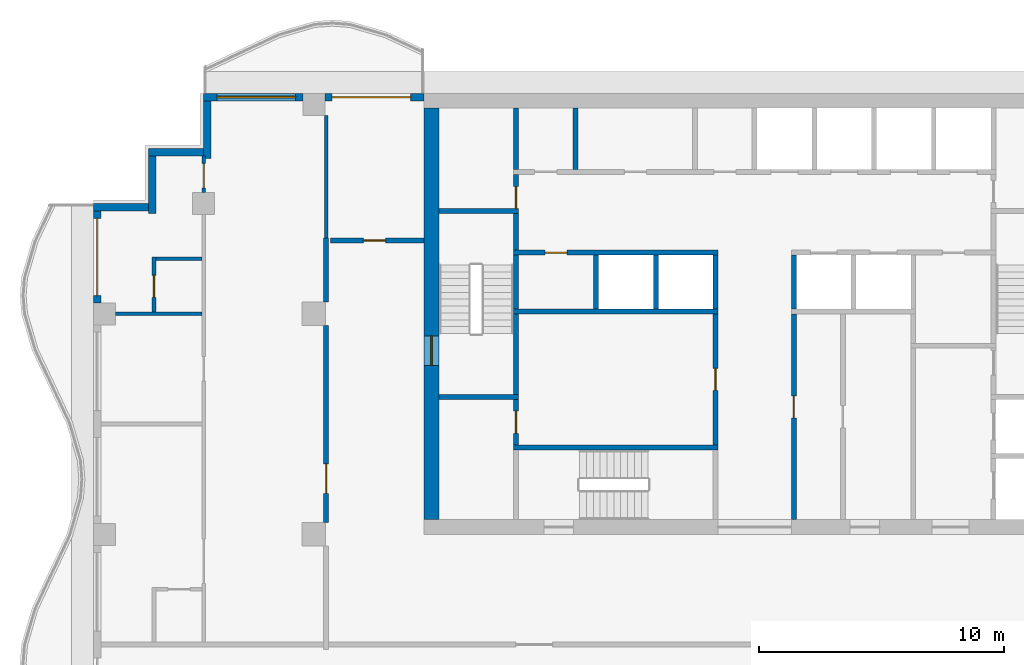
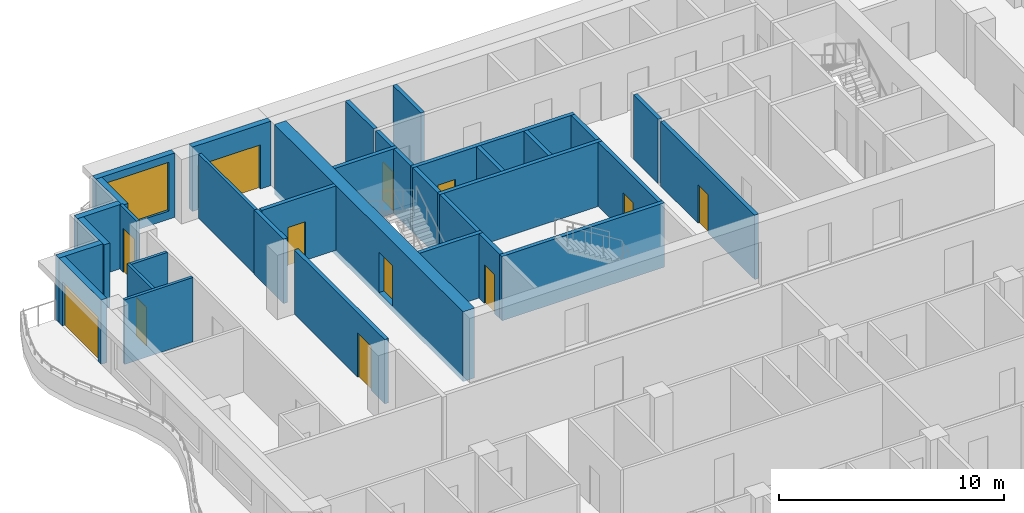
# One storey, part 5 of 11: 34 walls, 12 doors, 1 window, 13 openings.
"""IFC4 building model written with IfcOpenShell, lengths in metres."""

from ifc_helpers import new_model, si_unit, direction, frame, frame_2d, origin, place, context, subcontext, project, spatial, rectangle, extrude, material, layer, layer_set, type_object, element, fill, save


model = new_model("IFC4")

# Units and contexts
model_context = context("Model", 3, precision=1e-05, world=origin(), true_north=direction((0.0, 1.0)))
body_context = subcontext(model_context, "Body", "Model", "MODEL_VIEW")
ifc_project = project(units=[si_unit("LENGTHUNIT", "METRE"), si_unit("AREAUNIT", "SQUARE_METRE"), si_unit("VOLUMEUNIT", "CUBIC_METRE"), si_unit("PLANEANGLEUNIT", "RADIAN"), si_unit("MASSUNIT", "GRAM", prefix="KILO")], contexts=[model_context])

# Site, building, storey
site_placement = place(None, origin())
site = spatial("IfcSite", under=ifc_project, at=site_placement, CompositionType="ELEMENT")
building_placement = place(site_placement, origin())
building = spatial("IfcBuilding", under=site, at=building_placement, Name="Orbiselva Terraces", CompositionType="ELEMENT")
storey_placement = place(building_placement, frame((0.0, 0.0, 273.0)))
storey = spatial("IfcBuildingStorey", under=building, at=storey_placement, Name="L69", CompositionType="ELEMENT", Elevation=273.0)

# Wall, opening, door
ifc_material_1 = material(Name="Concrete C80/95", Category="concrete")
ifc_layer_1 = layer(ifc_material_1, 0.6)
ifc_layer_set_1 = layer_set([ifc_layer_1], Name="Concrete C80/95")
wall_type_1 = type_object("IfcWallType", Name="CORE WALL 600", PredefinedType="SHEAR", material=ifc_layer_set_1)
wall_1_placement = place(storey_placement, frame((-13.2, 21.9, -0.3), z_axis=(0.0, 0.0, 1.0), x_axis=(0.0, -1.0, 0.0)))
wall_1 = element("IfcWall", 1, at=wall_1_placement, inside=storey, type_object=wall_type_1, Name="Core wall L69 west", PredefinedType="SHEAR", context=body_context, shape_type="SweptSolid", body=[
    extrude(rectangle(XDim=16.8, YDim=0.6, at=frame_2d((8.4, 0.0))), origin(), (0.0, 0.0, 1.0), 3.8),
])
opening_1_placement = place(wall_1_placement, frame((9.3, 0.0, 0.3)))
opening_1 = element("IfcOpeningElement", 2, at=opening_1_placement, cuts=wall_1, Name="Opening DS1200", PredefinedType="OPENING", context=body_context, shape_type="SweptSolid", body=[
    extrude(rectangle(XDim=1.2, YDim=2.2, at=frame_2d((0.6, 1.1))), frame((0.0, 0.31, 0.0), z_axis=(0.0, -1.0, 0.0), x_axis=(1.0, 0.0, 0.0)), (0.0, 0.0, 1.0), 0.62),
])
ifc_material_2 = material(Name="Steel fire door", Category="steel")
door_type_1 = type_object("IfcDoorType", Name="STAIR DOOR 1200", OperationType="NOTDEFINED", PredefinedType="DOOR", material=ifc_material_2)
door_1_placement = place(opening_1_placement, frame((1.2, 0.0, 0.0), z_axis=(0.0, 0.0, 1.0), x_axis=(-1.0, 0.0, 0.0)))
door_1 = element("IfcDoor", 3, at=door_1_placement, inside=storey, type_object=door_type_1, Name="L69 EXIT STAIR S1 door", OperationType="SINGLE_SWING_RIGHT", OverallHeight=2.2, OverallWidth=1.2, PredefinedType="DOOR", context=body_context, shape_type="SweptSolid", body=[
    extrude(rectangle(XDim=1.2, YDim=2.2, at=frame_2d((0.6, 1.1))), frame((0.0, 0.025, 0.0), z_axis=(0.0, -1.0, 0.0), x_axis=(1.0, 0.0, 0.0)), (0.0, 0.0, 1.0), 0.05),
])
fill(opening_1, door_1)

ifc_material_3 = material(Name="Masonry blockwork", Category="masonry")
ifc_layer_2 = layer(ifc_material_3, 0.2)
ifc_layer_set_2 = layer_set([ifc_layer_2], Name="Masonry blockwork")
wall_type_2 = type_object("IfcWallType", Name="CORE-WALL-PARTITION-200", PredefinedType="PARTITIONING", material=ifc_layer_set_2)
wall_2_placement = place(storey_placement, frame((-9.75, 8.15, 0.0), z_axis=(0.0, 0.0, 1.0), x_axis=(0.0, 1.0, 0.0)))
wall_2 = element("IfcWall", 4, at=wall_2_placement, inside=storey, type_object=wall_type_2, Name="L69 core wall 05", PredefinedType="PARTITIONING", context=body_context, shape_type="SweptSolid", body=[
    extrude(rectangle(XDim=1.85, YDim=0.2, at=frame_2d((0.925, 0.0))), origin(), (0.0, 0.0, 1.0), 3.5),
])
opening_2_placement = place(wall_2_placement, frame((0.475, 0.0, 0.0)))
opening_2 = element("IfcOpeningElement", 5, at=opening_2_placement, cuts=wall_2, Name="Opening DR900", PredefinedType="OPENING", context=body_context, shape_type="SweptSolid", body=[
    extrude(rectangle(XDim=0.9, YDim=2.1, at=frame_2d((0.45, 1.05))), frame((0.0, 0.11, 0.0), z_axis=(0.0, -1.0, 0.0), x_axis=(1.0, 0.0, 0.0)), (0.0, 0.0, 1.0), 0.22),
])
door_type_2 = type_object("IfcDoorType", Name="ROOM DOOR 900", OperationType="NOTDEFINED", PredefinedType="DOOR", material=ifc_material_2)
door_2_placement = place(opening_2_placement, origin())
door_2 = element("IfcDoor", 6, at=door_2_placement, inside=storey, type_object=door_type_2, Name="L69 ACCESSIBLE WC door", OperationType="SINGLE_SWING_RIGHT", OverallHeight=2.1, OverallWidth=0.9, PredefinedType="DOOR", context=body_context, shape_type="SweptSolid", body=[
    extrude(rectangle(XDim=0.9, YDim=2.1, at=frame_2d((0.45, 1.05))), frame((0.0, 0.025, 0.0), z_axis=(0.0, -1.0, 0.0), x_axis=(1.0, 0.0, 0.0)), (0.0, 0.0, 1.0), 0.05),
])
fill(opening_2, door_2)

wall_3_placement = place(storey_placement, frame((-9.75, 17.8, 0.0), z_axis=(0.0, 0.0, 1.0), x_axis=(0.0, 1.0, 0.0)))
wall_3 = element("IfcWall", 7, at=wall_3_placement, inside=storey, type_object=wall_type_2, Name="L69 core wall 11", PredefinedType="PARTITIONING", context=body_context, shape_type="SweptSolid", body=[
    extrude(rectangle(XDim=1.4, YDim=0.2, at=frame_2d((0.7, 0.0))), origin(), (0.0, 0.0, 1.0), 3.5),
])
opening_3_placement = place(wall_3_placement, origin())
opening_3 = element("IfcOpeningElement", 8, at=opening_3_placement, cuts=wall_3, Name="Opening DR900", PredefinedType="OPENING", context=body_context, shape_type="SweptSolid", body=[
    extrude(rectangle(XDim=0.9, YDim=2.1, at=frame_2d((0.45, 1.05))), frame((0.0, 0.11, 0.0), z_axis=(0.0, -1.0, 0.0), x_axis=(1.0, 0.0, 0.0)), (0.0, 0.0, 1.0), 0.22),
])
door_3_placement = place(opening_3_placement, origin())
door_3 = element("IfcDoor", 9, at=door_3_placement, inside=storey, type_object=door_type_2, Name="L69 ELECTRICAL RISER ROOM door", OperationType="SINGLE_SWING_LEFT", OverallHeight=2.1, OverallWidth=0.9, PredefinedType="DOOR", context=body_context, shape_type="SweptSolid", body=[
    extrude(rectangle(XDim=0.9, YDim=2.1, at=frame_2d((0.45, 1.05))), frame((0.0, 0.025, 0.0), z_axis=(0.0, -1.0, 0.0), x_axis=(1.0, 0.0, 0.0)), (0.0, 0.0, 1.0), 0.05),
])
fill(opening_3, door_3)

# Walls
for number, where, z_axis, x_axis, name in (
    (10, (-9.75, 19.4, 0.0), (0.0, 0.0, 1.0), (0.0, 1.0, 0.0), "L69 core wall 13"),
    (11, (-7.3125, 19.4, 0.0), (0.0, 0.0, 1.0), (0.0, 1.0, 0.0), "L69 core wall 14"),
):
    element("IfcWall", number, at=place(storey_placement, frame(where, z_axis=z_axis, x_axis=x_axis)), inside=storey, type_object=wall_type_2, Name=name, PredefinedType="PARTITIONING", context=body_context, shape_type="SweptSolid", body=[
        extrude(rectangle(XDim=2.5, YDim=0.2, at=frame_2d((1.25, 0.0))), origin(), (0.0, 0.0, 1.0), 3.5),
    ])
ifc_material_4 = material(Name="Concrete C40/50", Category="concrete")
ifc_layer_3 = layer(ifc_material_4, 0.2)
ifc_layer_set_3 = layer_set([ifc_layer_3], Name="Concrete C40/50")
wall_type_3 = type_object("IfcWallType", Name="CORE-WALL-SHAFT-200", PredefinedType="PARTITIONING", material=ifc_layer_set_3)
for number, where, z_axis, x_axis, name in (
    (12, (-6.475, 13.7, 0.0), (0.0, 0.0, 1.0), (0.0, 1.0, 0.0), "L69 core wall 15"),
    (13, (-4.0375, 13.7, 0.0), (0.0, 0.0, 1.0), (0.0, 1.0, 0.0), "L69 core wall 16"),
    (14, (-1.6, 13.7, 0.0), (0.0, 0.0, 1.0), (0.0, 1.0, 0.0), "L69 core wall 20"),
    (15, (1.6, 13.7, 0.0), (0.0, 0.0, 1.0), (0.0, 1.0, 0.0), "L69 core wall 24"),
):
    element("IfcWall", number, at=place(storey_placement, frame(where, z_axis=z_axis, x_axis=x_axis)), inside=storey, type_object=wall_type_3, Name=name, PredefinedType="PARTITIONING", context=body_context, shape_type="SweptSolid", body=[
        extrude(rectangle(XDim=2.2, YDim=0.2, at=frame_2d((1.1, 0.0))), origin(), (0.0, 0.0, 1.0), 3.5),
    ])
ifc_material_5 = material(Name="Concrete C60/75", Category="concrete")
ifc_layer_4 = layer(ifc_material_5, 0.2)
ifc_layer_set_4 = layer_set([ifc_layer_4], Name="Concrete C60/75")
wall_type_4 = type_object("IfcWallType", Name="CORE-WALL-SHEAR-200", PredefinedType="SHEAR", material=ifc_layer_set_4)
for number, where, z_axis, x_axis, name in (
    (16, (-12.9, 10.1, 0.0), (0.0, 0.0, 1.0), (1.0, 0.0, 0.0), "L69 core wall 01"),
    (17, (-12.9, 17.7, 0.0), (0.0, 0.0, 1.0), (1.0, 0.0, 0.0), "L69 core wall 02"),
):
    element("IfcWall", number, at=place(storey_placement, frame(where, z_axis=z_axis, x_axis=x_axis)), inside=storey, type_object=wall_type_4, Name=name, PredefinedType="SHEAR", context=body_context, shape_type="SweptSolid", body=[
        extrude(rectangle(XDim=3.25, YDim=0.2, at=frame_2d((1.625, 0.0))), origin(), (0.0, 0.0, 1.0), 3.5),
    ])
wall_4_placement = place(storey_placement, frame((-9.85, 8.05, 0.0), z_axis=(0.0, 0.0, 1.0), x_axis=(1.0, 0.0, 0.0)))
element("IfcWall", 18, at=wall_4_placement, inside=storey, type_object=wall_type_4, Name="L69 core wall 04", PredefinedType="SHEAR", context=body_context, shape_type="SweptSolid", body=[
    extrude(rectangle(XDim=8.35, YDim=0.2, at=frame_2d((4.175, 0.0))), origin(), (0.0, 0.0, 1.0), 3.5),
])
wall_5_placement = place(storey_placement, frame((-9.75, 10.2, 0.0), z_axis=(0.0, 0.0, 1.0), x_axis=(0.0, 1.0, 0.0)))
element("IfcWall", 19, at=wall_5_placement, inside=storey, type_object=wall_type_4, Name="L69 core wall 06", PredefinedType="SHEAR", context=body_context, shape_type="SweptSolid", body=[
    extrude(rectangle(XDim=3.3, YDim=0.2, at=frame_2d((1.65, 0.0))), origin(), (0.0, 0.0, 1.0), 3.5),
])
wall_6_placement = place(storey_placement, frame((-9.85, 13.6, 0.0), z_axis=(0.0, 0.0, 1.0), x_axis=(1.0, 0.0, 0.0)))
element("IfcWall", 20, at=wall_6_placement, inside=storey, type_object=wall_type_4, Name="L69 core wall 07", PredefinedType="SHEAR", context=body_context, shape_type="SweptSolid", body=[
    extrude(rectangle(XDim=8.35, YDim=0.2, at=frame_2d((4.175, 0.0))), origin(), (0.0, 0.0, 1.0), 3.5),
])
wall_7_placement = place(storey_placement, frame((-9.75, 13.7, 0.0), z_axis=(0.0, 0.0, 1.0), x_axis=(0.0, 1.0, 0.0)))
element("IfcWall", 21, at=wall_7_placement, inside=storey, type_object=wall_type_4, Name="L69 core wall 08", PredefinedType="SHEAR", context=body_context, shape_type="SweptSolid", body=[
    extrude(rectangle(XDim=2.2, YDim=0.2, at=frame_2d((1.1, 0.0))), origin(), (0.0, 0.0, 1.0), 3.5),
])

# Wall, opening, door
wall_8_placement = place(storey_placement, frame((-1.5, 16.0, 0.0), z_axis=(0.0, 0.0, 1.0), x_axis=(-1.0, 0.0, 0.0)))
wall_8 = element("IfcWall", 22, at=wall_8_placement, inside=storey, type_object=wall_type_4, Name="L69 core wall 09", PredefinedType="SHEAR", context=body_context, shape_type="SweptSolid", body=[
    extrude(rectangle(XDim=8.35, YDim=0.2, at=frame_2d((4.175, 0.0))), origin(), (0.0, 0.0, 1.0), 3.5),
])
opening_4_placement = place(wall_8_placement, frame((6.1625, 0.0, 0.0)))
opening_4 = element("IfcOpeningElement", 23, at=opening_4_placement, cuts=wall_8, Name="Opening DR900", PredefinedType="OPENING", context=body_context, shape_type="SweptSolid", body=[
    extrude(rectangle(XDim=0.9, YDim=2.1, at=frame_2d((0.45, 1.05))), frame((0.0, 0.11, 0.0), z_axis=(0.0, -1.0, 0.0), x_axis=(1.0, 0.0, 0.0)), (0.0, 0.0, 1.0), 0.22),
])
door_4_placement = place(opening_4_placement, origin())
door_4 = element("IfcDoor", 24, at=door_4_placement, inside=storey, type_object=door_type_2, Name="L69 IT ROOM door", OperationType="SINGLE_SWING_RIGHT", OverallHeight=2.1, OverallWidth=0.9, PredefinedType="DOOR", context=body_context, shape_type="SweptSolid", body=[
    extrude(rectangle(XDim=0.9, YDim=2.1, at=frame_2d((0.45, 1.05))), frame((0.0, 0.025, 0.0), z_axis=(0.0, -1.0, 0.0), x_axis=(1.0, 0.0, 0.0)), (0.0, 0.0, 1.0), 0.05),
])
fill(opening_4, door_4)

# Wall
wall_9_placement = place(storey_placement, frame((-9.75, 16.1, 0.0), z_axis=(0.0, 0.0, 1.0), x_axis=(0.0, 1.0, 0.0)))
element("IfcWall", 25, at=wall_9_placement, inside=storey, type_object=wall_type_4, Name="L69 core wall 10", PredefinedType="SHEAR", context=body_context, shape_type="SweptSolid", body=[
    extrude(rectangle(XDim=1.5, YDim=0.2, at=frame_2d((0.75, 0.0))), origin(), (0.0, 0.0, 1.0), 3.5),
])

# Wall, opening, door
wall_10_placement = place(storey_placement, frame((-1.6, 8.15, 0.0), z_axis=(0.0, 0.0, 1.0), x_axis=(0.0, 1.0, 0.0)))
wall_10 = element("IfcWall", 26, at=wall_10_placement, inside=storey, type_object=wall_type_4, Name="L69 core wall 19", PredefinedType="SHEAR", context=body_context, shape_type="SweptSolid", body=[
    extrude(rectangle(XDim=5.35, YDim=0.2, at=frame_2d((2.675, 0.0))), origin(), (0.0, 0.0, 1.0), 3.5),
])
opening_5_placement = place(wall_10_placement, frame((2.225, 0.0, 0.0)))
opening_5 = element("IfcOpeningElement", 27, at=opening_5_placement, cuts=wall_10, Name="Opening DR900", PredefinedType="OPENING", context=body_context, shape_type="SweptSolid", body=[
    extrude(rectangle(XDim=0.9, YDim=2.1, at=frame_2d((0.45, 1.05))), frame((0.0, 0.11, 0.0), z_axis=(0.0, -1.0, 0.0), x_axis=(1.0, 0.0, 0.0)), (0.0, 0.0, 1.0), 0.22),
])
door_5_placement = place(opening_5_placement, origin())
door_5 = element("IfcDoor", 28, at=door_5_placement, inside=storey, type_object=door_type_2, Name="L69 LINEN STORE door", OperationType="SINGLE_SWING_RIGHT", OverallHeight=2.1, OverallWidth=0.9, PredefinedType="DOOR", context=body_context, shape_type="SweptSolid", body=[
    extrude(rectangle(XDim=0.9, YDim=2.1, at=frame_2d((0.45, 1.05))), frame((0.0, 0.025, 0.0), z_axis=(0.0, -1.0, 0.0), x_axis=(1.0, 0.0, 0.0)), (0.0, 0.0, 1.0), 0.05),
])
fill(opening_5, door_5)

wall_11_placement = place(storey_placement, frame((1.6, 13.5, 0.0), z_axis=(0.0, 0.0, 1.0), x_axis=(0.0, -1.0, 0.0)))
wall_11 = element("IfcWall", 29, at=wall_11_placement, inside=storey, type_object=wall_type_4, Name="L69 core wall 22", PredefinedType="SHEAR", context=body_context, shape_type="SweptSolid", body=[
    extrude(rectangle(XDim=8.4, YDim=0.2, at=frame_2d((4.2, 0.0))), origin(), (0.0, 0.0, 1.0), 3.5),
])
opening_6_placement = place(wall_11_placement, frame((3.35, 0.0, 0.0)))
opening_6 = element("IfcOpeningElement", 30, at=opening_6_placement, cuts=wall_11, Name="Opening DR900", PredefinedType="OPENING", context=body_context, shape_type="SweptSolid", body=[
    extrude(rectangle(XDim=0.9, YDim=2.1, at=frame_2d((0.45, 1.05))), frame((0.0, 0.11, 0.0), z_axis=(0.0, -1.0, 0.0), x_axis=(1.0, 0.0, 0.0)), (0.0, 0.0, 1.0), 0.22),
])
door_6_placement = place(opening_6_placement, origin())
door_6 = element("IfcDoor", 31, at=door_6_placement, inside=storey, type_object=door_type_2, Name="L69 COMMS ROOM door", OperationType="SINGLE_SWING_LEFT", OverallHeight=2.1, OverallWidth=0.9, PredefinedType="DOOR", context=body_context, shape_type="SweptSolid", body=[
    extrude(rectangle(XDim=0.9, YDim=2.1, at=frame_2d((0.45, 1.05))), frame((0.0, 0.025, 0.0), z_axis=(0.0, -1.0, 0.0), x_axis=(1.0, 0.0, 0.0)), (0.0, 0.0, 1.0), 0.05),
])
fill(opening_6, door_6)

ifc_material_6 = material(Name="Terracotta cladding on masonry backing", Category="masonry")
ifc_layer_5 = layer(ifc_material_6, 0.3)
ifc_layer_set_5 = layer_set([ifc_layer_5], Name="Terracotta cladding on masonry backing")
wall_type_5 = type_object("IfcWallType", Name="ENV-WALL-TERRACOTTA-300", PredefinedType="SOLIDWALL", material=ifc_layer_set_5)
wall_12_placement = place(storey_placement, frame((-17.55, 22.35, 0.0), z_axis=(0.0, 0.0, 1.0), x_axis=(1.0, 0.0, 0.0)))
wall_12 = element("IfcWall", 32, at=wall_12_placement, inside=storey, type_object=wall_type_5, Name="Facade wall L69 NW", PredefinedType="SOLIDWALL", context=body_context, shape_type="SweptSolid", body=[
    extrude(rectangle(XDim=4.05, YDim=0.3, at=frame_2d((2.025, 0.0))), origin(), (0.0, 0.0, 1.0), 3.5),
])
opening_7_placement = place(wall_12_placement, frame((0.3, 0.0, 0.0)))
opening_7 = element("IfcOpeningElement", 33, at=opening_7_placement, cuts=wall_12, Name="Opening Z5-D-E08", PredefinedType="OPENING", context=body_context, shape_type="SweptSolid", body=[
    extrude(rectangle(XDim=3.2, YDim=2.4, at=frame_2d((1.6, 1.2))), frame((0.0, 0.16, 0.0), z_axis=(0.0, -1.0, 0.0), x_axis=(1.0, 0.0, 0.0)), (0.0, 0.0, 1.0), 0.32),
])
ifc_material_7 = material(Name="Clear low-e glazing in aluminium frame", Category="aluminium")
door_type_3 = type_object("IfcDoorType", Name="BALCONY DOOR 3200 X 2400", OperationType="DOUBLE_DOOR_SLIDING", PredefinedType="DOOR", material=ifc_material_7)
door_7_placement = place(opening_7_placement, origin())
door_7 = element("IfcDoor", 34, at=door_7_placement, inside=storey, type_object=door_type_3, Name="Z5-D-E08", OperationType="SINGLE_SWING_LEFT", OverallHeight=2.4, OverallWidth=3.2, PredefinedType="DOOR", context=body_context, shape_type="SweptSolid", body=[
    extrude(rectangle(XDim=3.2, YDim=2.4, at=frame_2d((1.6, 1.2))), frame((0.0, 0.025, 0.0), z_axis=(0.0, -1.0, 0.0), x_axis=(1.0, 0.0, 0.0)), (0.0, 0.0, 1.0), 0.05),
])
fill(opening_7, door_7)

# Wall, opening, window
wall_13_placement = place(storey_placement, frame((-22.5, 22.35, 0.0), z_axis=(0.0, 0.0, 1.0), x_axis=(1.0, 0.0, 0.0)))
wall_13 = element("IfcWall", 35, at=wall_13_placement, inside=storey, type_object=wall_type_5, Name="Facade wall L69 NW", PredefinedType="SOLIDWALL", context=body_context, shape_type="SweptSolid", body=[
    extrude(rectangle(XDim=4.05, YDim=0.3, at=frame_2d((2.025, 0.0))), origin(), (0.0, 0.0, 1.0), 3.5),
])
opening_8_placement = place(wall_13_placement, frame((0.55, 0.0, 0.45)))
opening_8 = element("IfcOpeningElement", 36, at=opening_8_placement, cuts=wall_13, Name="Opening WN17", PredefinedType="OPENING", context=body_context, shape_type="SweptSolid", body=[
    extrude(rectangle(XDim=3.2, YDim=2.65, at=frame_2d((1.6, 1.325))), frame((0.0, 0.16, 0.0), z_axis=(0.0, -1.0, 0.0), x_axis=(1.0, 0.0, 0.0)), (0.0, 0.0, 1.0), 0.32),
])
window_type = type_object("IfcWindowType", Name="WINDOW 3200 X 2650 S450", PartitioningType="TRIPLE_PANEL_VERTICAL", PredefinedType="WINDOW", material=ifc_material_7)
window_placement = place(opening_8_placement, origin())
window = element("IfcWindow", 37, at=window_placement, inside=storey, type_object=window_type, Name="Window L69 NW", OverallHeight=2.65, OverallWidth=3.2, PartitioningType="SINGLE_PANEL", PredefinedType="WINDOW", context=body_context, shape_type="SweptSolid", body=[
    extrude(rectangle(XDim=3.2, YDim=2.65, at=frame_2d((1.6, 1.325))), frame((0.0, 0.03, 0.0), z_axis=(0.0, -1.0, 0.0), x_axis=(1.0, 0.0, 0.0)), (0.0, 0.0, 1.0), 0.06),
])
fill(opening_8, window)

# Walls
wall_14_placement = place(storey_placement, frame((-22.35, 19.85, 0.0), z_axis=(0.0, 0.0, 1.0), x_axis=(0.0, 1.0, 0.0)))
element("IfcWall", 38, at=wall_14_placement, inside=storey, type_object=wall_type_5, Name="Facade wall L69 STEP", PredefinedType="SOLIDWALL", context=body_context, shape_type="SweptSolid", body=[
    extrude(rectangle(XDim=2.35, YDim=0.3, at=frame_2d((1.175, 0.0))), origin(), (0.0, 0.0, 1.0), 3.5),
])
wall_15_placement = place(storey_placement, frame((-24.75, 20.1, 0.0), z_axis=(0.0, 0.0, 1.0), x_axis=(1.0, 0.0, 0.0)))
element("IfcWall", 39, at=wall_15_placement, inside=storey, type_object=wall_type_5, Name="Facade wall L69 STEP", PredefinedType="SOLIDWALL", context=body_context, shape_type="SweptSolid", body=[
    extrude(rectangle(XDim=2.25, YDim=0.3, at=frame_2d((1.125, 0.0))), origin(), (0.0, 0.0, 1.0), 3.5),
])
wall_16_placement = place(storey_placement, frame((-24.6, 17.6, 0.0), z_axis=(0.0, 0.0, 1.0), x_axis=(0.0, 1.0, 0.0)))
element("IfcWall", 40, at=wall_16_placement, inside=storey, type_object=wall_type_5, Name="Facade wall L69 STEP", PredefinedType="SOLIDWALL", context=body_context, shape_type="SweptSolid", body=[
    extrude(rectangle(XDim=2.35, YDim=0.3, at=frame_2d((1.175, 0.0))), origin(), (0.0, 0.0, 1.0), 3.5),
])
wall_17_placement = place(storey_placement, frame((-27.0, 17.85, 0.0), z_axis=(0.0, 0.0, 1.0), x_axis=(1.0, 0.0, 0.0)))
element("IfcWall", 41, at=wall_17_placement, inside=storey, type_object=wall_type_5, Name="Facade wall L69 STEP", PredefinedType="SOLIDWALL", context=body_context, shape_type="SweptSolid", body=[
    extrude(rectangle(XDim=2.25, YDim=0.3, at=frame_2d((1.125, 0.0))), origin(), (0.0, 0.0, 1.0), 3.5),
])

# Wall, opening, door
wall_18_placement = place(storey_placement, frame((-26.85, 13.95, 0.0), z_axis=(0.0, 0.0, 1.0), x_axis=(0.0, 1.0, 0.0)))
wall_18 = element("IfcWall", 42, at=wall_18_placement, inside=storey, type_object=wall_type_5, Name="Facade wall L69 W", PredefinedType="SOLIDWALL", context=body_context, shape_type="SweptSolid", body=[
    extrude(rectangle(XDim=3.75, YDim=0.3, at=frame_2d((1.875, 0.0))), origin(), (0.0, 0.0, 1.0), 3.5),
])
opening_9_placement = place(wall_18_placement, frame((0.3, 0.0, 0.0)))
opening_9 = element("IfcOpeningElement", 43, at=opening_9_placement, cuts=wall_18, Name="Opening Z5-D-E09", PredefinedType="OPENING", context=body_context, shape_type="SweptSolid", body=[
    extrude(rectangle(XDim=3.15, YDim=2.4, at=frame_2d((1.575, 1.2))), frame((0.0, 0.16, 0.0), z_axis=(0.0, -1.0, 0.0), x_axis=(1.0, 0.0, 0.0)), (0.0, 0.0, 1.0), 0.32),
])
door_type_4 = type_object("IfcDoorType", Name="BALCONY DOOR 3150 X 2400", OperationType="DOUBLE_DOOR_SLIDING", PredefinedType="DOOR", material=ifc_material_7)
door_8_placement = place(opening_9_placement, origin())
door_8 = element("IfcDoor", 44, at=door_8_placement, inside=storey, type_object=door_type_4, Name="Z5-D-E09", OperationType="SINGLE_SWING_LEFT", OverallHeight=2.4, OverallWidth=3.15, PredefinedType="DOOR", context=body_context, shape_type="SweptSolid", body=[
    extrude(rectangle(XDim=3.15, YDim=2.4, at=frame_2d((1.575, 1.2))), frame((0.0, 0.025, 0.0), z_axis=(0.0, -1.0, 0.0), x_axis=(1.0, 0.0, 0.0)), (0.0, 0.0, 1.0), 0.05),
])
fill(opening_9, door_8)

ifc_material_8 = material(Name="Plasterboard on steel stud partition", Category="steel")
ifc_layer_6 = layer(ifc_material_8, 0.2)
ifc_layer_set_6 = layer_set([ifc_layer_6], Name="Plasterboard on steel stud partition")
wall_type_6 = type_object("IfcWallType", Name="UNIT-ENTRANCE-WALL-200", PredefinedType="PARTITIONING", material=ifc_layer_set_6)
wall_19_placement = place(storey_placement, frame((-17.325, 16.5, 0.0), z_axis=(0.0, 0.0, 1.0), x_axis=(1.0, 0.0, 0.0)))
wall_19 = element("IfcWall", 45, at=wall_19_placement, inside=storey, type_object=wall_type_6, Name="PARTITION L69-039", PredefinedType="PARTITIONING", context=body_context, shape_type="SweptSolid", body=[
    extrude(rectangle(XDim=3.825, YDim=0.2, at=frame_2d((1.9125, 0.0))), origin(), (0.0, 0.0, 1.0), 3.5),
])
opening_10_placement = place(wall_19_placement, frame((1.35, 0.0, 0.0)))
opening_10 = element("IfcOpeningElement", 46, at=opening_10_placement, cuts=wall_19, Name="Opening Z5-D-01", PredefinedType="OPENING", context=body_context, shape_type="SweptSolid", body=[
    extrude(rectangle(XDim=0.9, YDim=2.1, at=frame_2d((0.45, 1.05))), frame((0.0, 0.11, 0.0), z_axis=(0.0, -1.0, 0.0), x_axis=(1.0, 0.0, 0.0)), (0.0, 0.0, 1.0), 0.22),
])
ifc_material_9 = material(Name="Painted timber door leaf", Category="wood")
door_type_5 = type_object("IfcDoorType", Name="SERVICE DOOR 900", OperationType="NOTDEFINED", PredefinedType="DOOR", material=ifc_material_9)
door_9_placement = place(opening_10_placement, origin())
door_9 = element("IfcDoor", 47, at=door_9_placement, inside=storey, type_object=door_type_5, Name="Z5-D-01", OperationType="SINGLE_SWING_LEFT", OverallHeight=2.1, OverallWidth=0.9, PredefinedType="DOOR", context=body_context, shape_type="SweptSolid", body=[
    extrude(rectangle(XDim=0.9, YDim=2.1, at=frame_2d((0.45, 1.05))), frame((0.0, 0.025, 0.0), z_axis=(0.0, -1.0, 0.0), x_axis=(1.0, 0.0, 0.0)), (0.0, 0.0, 1.0), 0.05),
])
fill(opening_10, door_9)

wall_20_placement = place(storey_placement, frame((-17.5, 4.975, 0.0), z_axis=(0.0, 0.0, 1.0), x_axis=(0.0, 1.0, 0.0)))
wall_20 = element("IfcWall", 48, at=wall_20_placement, inside=storey, type_object=wall_type_6, Name="PARTITION L69-051", PredefinedType="PARTITIONING", context=body_context, shape_type="SweptSolid", body=[
    extrude(rectangle(XDim=8.05, YDim=0.2, at=frame_2d((4.025, 0.0))), origin(), (0.0, 0.0, 1.0), 3.5),
])
opening_11_placement = place(wall_20_placement, frame((1.2, 0.0, 0.0)))
opening_11 = element("IfcOpeningElement", 49, at=opening_11_placement, cuts=wall_20, Name="Opening Z5-D-03", PredefinedType="OPENING", context=body_context, shape_type="SweptSolid", body=[
    extrude(rectangle(XDim=1.2, YDim=2.4, at=frame_2d((0.6, 1.2))), frame((0.0, 0.11, 0.0), z_axis=(0.0, -1.0, 0.0), x_axis=(1.0, 0.0, 0.0)), (0.0, 0.0, 1.0), 0.22),
])
door_type_6 = type_object("IfcDoorType", Name="ENTRANCE DOOR 1200", OperationType="NOTDEFINED", PredefinedType="DOOR", material=ifc_material_9)
door_10_placement = place(opening_11_placement, origin())
door_10 = element("IfcDoor", 50, at=door_10_placement, inside=storey, type_object=door_type_6, Name="Z5-D-03", OperationType="SINGLE_SWING_LEFT", OverallHeight=2.4, OverallWidth=1.2, PredefinedType="DOOR", context=body_context, shape_type="SweptSolid", body=[
    extrude(rectangle(XDim=1.2, YDim=2.4, at=frame_2d((0.6, 1.2))), frame((0.0, 0.025, 0.0), z_axis=(0.0, -1.0, 0.0), x_axis=(1.0, 0.0, 0.0)), (0.0, 0.0, 1.0), 0.05),
])
fill(opening_11, door_10)

# Walls
wall_21_placement = place(storey_placement, frame((-17.5, 13.975, 0.0), z_axis=(0.0, 0.0, 1.0), x_axis=(0.0, 1.0, 0.0)))
element("IfcWall", 51, at=wall_21_placement, inside=storey, type_object=wall_type_6, Name="PARTITION L69-052", PredefinedType="PARTITIONING", context=body_context, shape_type="SweptSolid", body=[
    extrude(rectangle(XDim=2.625, YDim=0.2, at=frame_2d((1.3125, 0.0))), origin(), (0.0, 0.0, 1.0), 3.5),
])
ifc_layer_7 = layer(ifc_material_8, 0.15)
ifc_layer_set_7 = layer_set([ifc_layer_7], Name="Plasterboard on steel stud partition")
wall_type_7 = type_object("IfcWallType", Name="UNIT-PARTITION-150", PredefinedType="PARTITIONING", material=ifc_layer_set_7)
wall_22_placement = place(storey_placement, frame((-26.1, 13.5, 0.0), z_axis=(0.0, 0.0, 1.0), x_axis=(1.0, 0.0, 0.0)))
element("IfcWall", 52, at=wall_22_placement, inside=storey, type_object=wall_type_7, Name="PARTITION L69-034", PredefinedType="PARTITIONING", context=body_context, shape_type="SweptSolid", body=[
    extrude(rectangle(XDim=3.525, YDim=0.15, at=frame_2d((1.7625, 0.0))), origin(), (0.0, 0.0, 1.0), 3.5),
])
wall_23_placement = place(storey_placement, frame((-24.45, 15.75, 0.0), z_axis=(0.0, 0.0, 1.0), x_axis=(1.0, 0.0, 0.0)))
element("IfcWall", 53, at=wall_23_placement, inside=storey, type_object=wall_type_7, Name="PARTITION L69-037", PredefinedType="PARTITIONING", context=body_context, shape_type="SweptSolid", body=[
    extrude(rectangle(XDim=1.875, YDim=0.15, at=frame_2d((0.9375, 0.0))), origin(), (0.0, 0.0, 1.0), 3.5),
])

# Wall, opening, door
wall_24_placement = place(storey_placement, frame((-24.525, 15.825, 0.0), z_axis=(0.0, 0.0, 1.0), x_axis=(0.0, -1.0, 0.0)))
wall_24 = element("IfcWall", 54, at=wall_24_placement, inside=storey, type_object=wall_type_7, Name="PARTITION L69-042", PredefinedType="PARTITIONING", context=body_context, shape_type="SweptSolid", body=[
    extrude(rectangle(XDim=2.25, YDim=0.15, at=frame_2d((1.125, 0.0))), origin(), (0.0, 0.0, 1.0), 3.5),
])
opening_12_placement = place(wall_24_placement, frame((0.75, 0.0, 0.0)))
opening_12 = element("IfcOpeningElement", 55, at=opening_12_placement, cuts=wall_24, Name="Opening Z5-D-08", PredefinedType="OPENING", context=body_context, shape_type="SweptSolid", body=[
    extrude(rectangle(XDim=0.9, YDim=2.1, at=frame_2d((0.45, 1.05))), frame((0.0, 0.085, 0.0), z_axis=(0.0, -1.0, 0.0), x_axis=(1.0, 0.0, 0.0)), (0.0, 0.0, 1.0), 0.17),
])
door_type_7 = type_object("IfcDoorType", Name="BATH DOOR 900", OperationType="NOTDEFINED", PredefinedType="DOOR", material=ifc_material_9)
door_11_placement = place(opening_12_placement, origin())
door_11 = element("IfcDoor", 56, at=door_11_placement, inside=storey, type_object=door_type_7, Name="Z5-D-08", OperationType="SINGLE_SWING_RIGHT", OverallHeight=2.1, OverallWidth=0.9, PredefinedType="DOOR", context=body_context, shape_type="SweptSolid", body=[
    extrude(rectangle(XDim=0.9, YDim=2.1, at=frame_2d((0.45, 1.05))), frame((0.0, 0.025, 0.0), z_axis=(0.0, -1.0, 0.0), x_axis=(1.0, 0.0, 0.0)), (0.0, 0.0, 1.0), 0.05),
])
fill(opening_12, door_11)

wall_25_placement = place(storey_placement, frame((-22.5, 18.45, 0.0), z_axis=(0.0, 0.0, 1.0), x_axis=(0.0, 1.0, 0.0)))
wall_25 = element("IfcWall", 57, at=wall_25_placement, inside=storey, type_object=wall_type_7, Name="PARTITION L69-045", PredefinedType="PARTITIONING", context=body_context, shape_type="SweptSolid", body=[
    extrude(rectangle(XDim=1.5, YDim=0.15, at=frame_2d((0.75, 0.0))), origin(), (0.0, 0.0, 1.0), 3.5),
])
opening_13_placement = place(wall_25_placement, frame((0.2, 0.0, 0.0)))
opening_13 = element("IfcOpeningElement", 58, at=opening_13_placement, cuts=wall_25, Name="Opening Z5-D-07", PredefinedType="OPENING", context=body_context, shape_type="SweptSolid", body=[
    extrude(rectangle(XDim=1.0, YDim=2.4, at=frame_2d((0.5, 1.2))), frame((0.0, 0.085, 0.0), z_axis=(0.0, -1.0, 0.0), x_axis=(1.0, 0.0, 0.0)), (0.0, 0.0, 1.0), 0.17),
])
door_type_8 = type_object("IfcDoorType", Name="ROOM DOOR 1000", OperationType="NOTDEFINED", PredefinedType="DOOR", material=ifc_material_9)
door_12_placement = place(opening_13_placement, origin())
door_12 = element("IfcDoor", 59, at=door_12_placement, inside=storey, type_object=door_type_8, Name="Z5-D-07", OperationType="SINGLE_SWING_LEFT", OverallHeight=2.4, OverallWidth=1.0, PredefinedType="DOOR", context=body_context, shape_type="SweptSolid", body=[
    extrude(rectangle(XDim=1.0, YDim=2.4, at=frame_2d((0.5, 1.2))), frame((0.0, 0.025, 0.0), z_axis=(0.0, -1.0, 0.0), x_axis=(1.0, 0.0, 0.0)), (0.0, 0.0, 1.0), 0.05),
])
fill(opening_13, door_12)

# Wall
wall_26_placement = place(storey_placement, frame((-17.5, 16.4, 0.0), z_axis=(0.0, 0.0, 1.0), x_axis=(0.0, 1.0, 0.0)))
element("IfcWall", 60, at=wall_26_placement, inside=storey, type_object=wall_type_7, Name="PARTITION L69-053", PredefinedType="PARTITIONING", context=body_context, shape_type="SweptSolid", body=[
    extrude(rectangle(XDim=5.2, YDim=0.15, at=frame_2d((2.6, 0.0))), origin(), (0.0, 0.0, 1.0), 3.5),
])

save(model, "model.ifc")
